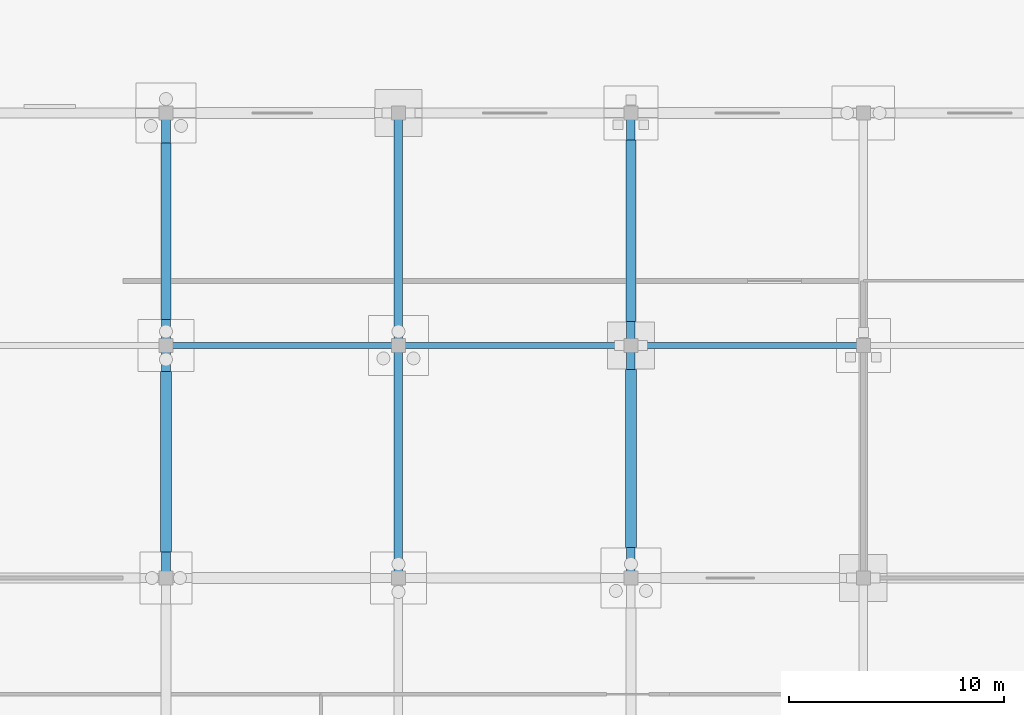
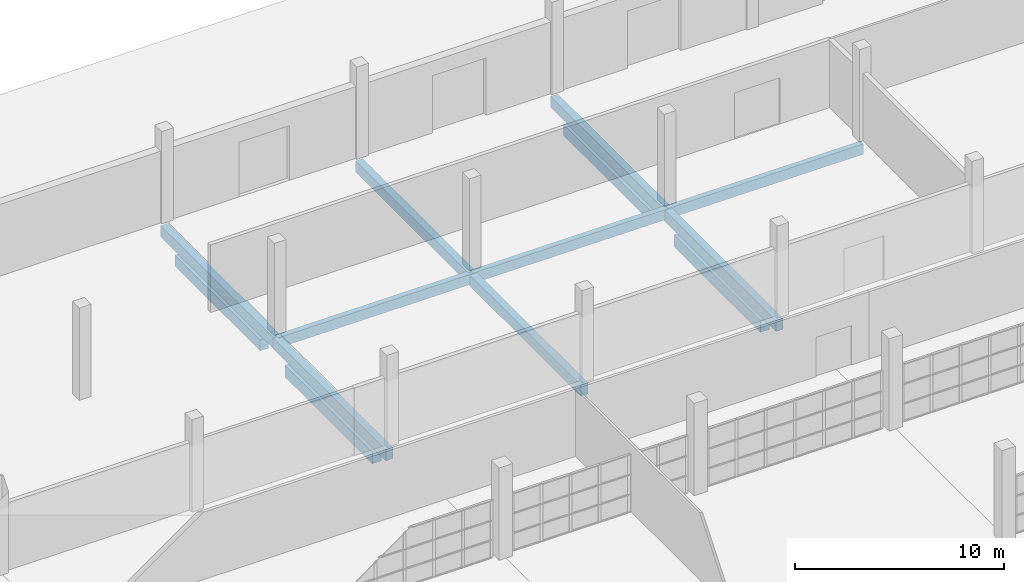
# One storey, part 76 of 138: 13 beams.
"""IFC4 building model written with IfcOpenShell, lengths in metres."""

import ifcopenshell
import ifcopenshell.guid

model = None  # the IFC model being written
_history = None  # IfcOwnerHistory: only IFC2X3 demands one
_inside = {}  # id of a spatial element -> (the spatial element, [elements in it])
_under = {}  # id of a project, library or spatial element -> (it, [spatial elements below it])
_declared = {}  # id of a project -> (the project, [libraries it declares])
_typed = {}  # id of a type object -> (the type object, [elements of that type])
_made_of = {}  # id of a material, layer set ... -> (it, [elements and type objects made of it])


def new_model(schema):
    """Start an empty IFC model of exactly this schema.

    Asked for "IFC4X3", IfcOpenShell would pick the latest addendum, in which some entities
    have other attributes; the version numbers below select the first issue.
    IFC2X3 requires an IfcOwnerHistory on every rooted entity: one is made here for all.
    """
    global model, _history
    if schema == "IFC4X3":
        model = ifcopenshell.file(schema_version=(4, 3, 0, 0))
    else:
        model = ifcopenshell.file(schema=schema)
    _inside.clear()
    _under.clear()
    _declared.clear()
    _typed.clear()
    _made_of.clear()
    _history = None
    if model.schema == "IFC2X3":
        org = make("IfcOrganization", Name="unknown")
        user = make(
            "IfcPersonAndOrganization",
            ThePerson=make("IfcPerson", FamilyName="unknown"),
            TheOrganization=org,
        )
        app = make(
            "IfcApplication",
            ApplicationDeveloper=org,
            Version="unknown",
            ApplicationFullName="unknown",
            ApplicationIdentifier="unknown",
        )
        _history = make(
            "IfcOwnerHistory",
            OwningUser=user,
            OwningApplication=app,
            ChangeAction="ADDED",
            CreationDate=0,
        )
    return model


def make(cls, **values):
    """One entity of the class cls with the attributes given. An attribute that is None is left unset."""
    return model.create_entity(
        cls, **{name: value for name, value in values.items() if value is not None}
    )


def rooted(cls, **values):
    """An entity with a GlobalId (a new one), such as an element, a storey or a relation."""
    return make(cls, GlobalId=ifcopenshell.guid.new(), OwnerHistory=_history, **values)


def si_unit(unit_type, name, prefix=None):
    """IfcSIUnit, for example si_unit("LENGTHUNIT", "METRE", prefix="MILLI")."""
    return make("IfcSIUnit", UnitType=unit_type, Prefix=prefix, Name=name)


def assignment(units):
    """IfcUnitAssignment: the units of a project."""
    return None if units is None else make("IfcUnitAssignment", Units=units)


def point(xyz):
    """IfcCartesianPoint."""
    return None if xyz is None else make("IfcCartesianPoint", Coordinates=xyz)


def direction(xyz):
    """IfcDirection."""
    return None if xyz is None else make("IfcDirection", DirectionRatios=xyz)


def frame(location, z_axis=None, x_axis=None):
    """IfcAxis2Placement3D, a coordinate frame: its origin and axes. An axis left out is left unset."""
    return make(
        "IfcAxis2Placement3D",
        Location=point(location),
        Axis=direction(z_axis),
        RefDirection=direction(x_axis),
    )


def frame_2d(location, x_axis=None):
    """IfcAxis2Placement2D, a coordinate frame in the plane: its origin and x axis."""
    return make(
        "IfcAxis2Placement2D", Location=point(location), RefDirection=direction(x_axis)
    )


def origin():
    """The frame at (0, 0, 0) with its axes left unset."""
    return frame((0.0, 0.0, 0.0))


def origin_2d():
    """The frame at (0, 0) in the plane with its x axis left unset."""
    return frame_2d((0.0, 0.0))


def place(relative_to, where):
    """IfcLocalPlacement: puts the frame where relative to a parent placement (None: the world)."""
    return make(
        "IfcLocalPlacement", PlacementRelTo=relative_to, RelativePlacement=where
    )


def context(
    kind, dimensions, precision=None, world=None, true_north=None, identifier=None
):
    """IfcGeometricRepresentationContext, for example the 3D "Model" context."""
    return make(
        "IfcGeometricRepresentationContext",
        ContextIdentifier=identifier,
        ContextType=kind,
        CoordinateSpaceDimension=dimensions,
        Precision=precision,
        WorldCoordinateSystem=world,
        TrueNorth=true_north,
    )


def subcontext(parent, identifier, kind, view, scale=None):
    """IfcGeometricRepresentationSubContext, for example "Body" below "Model"."""
    return make(
        "IfcGeometricRepresentationSubContext",
        ContextIdentifier=identifier,
        ContextType=kind,
        ParentContext=parent,
        TargetScale=scale,
        TargetView=view,
    )


def project(units=None, contexts=None):
    """IfcProject with its units and contexts."""
    return rooted(
        "IfcProject",
        Name="project",
        RepresentationContexts=contexts,
        UnitsInContext=assignment(units),
    )


def spatial(cls, under=None, at=None, **own):
    """A site, building, storey or space (cls), placed at a placement, below another one or the project."""
    s = rooted(cls, ObjectPlacement=at, **own)
    if under is not None:
        _under.setdefault(under.id(), (under, []))[1].append(s)
    return s


def profile(cls, at=None, kind="AREA", **sizes):
    """A parametric profile (cls). Its sizes go by their IFC names, for example OverallWidth=200.0."""
    return make(cls, ProfileType=kind, Position=at, **sizes)


def rectangle(**sizes):
    """IfcRectangleProfileDef."""
    return profile("IfcRectangleProfileDef", **sizes)


def extrude(swept, where, along, depth):
    """IfcExtrudedAreaSolid: the profile swept, set in the frame where, extruded along a direction by depth."""
    return make(
        "IfcExtrudedAreaSolid",
        SweptArea=swept,
        Position=where,
        ExtrudedDirection=direction(along),
        Depth=depth,
    )


def shape(context_of_items, identifier, shape_type, items):
    """IfcShapeRepresentation: the items that make up one representation, for example the "Body"."""
    return make(
        "IfcShapeRepresentation",
        ContextOfItems=context_of_items,
        RepresentationIdentifier=identifier,
        RepresentationType=shape_type,
        Items=items,
    )


def material(Name=None, Category=None):
    """IfcMaterial."""
    return make("IfcMaterial", Name=Name, Category=Category)


def material_profile(
    of_material, cross_section, Name=None, Category=None, Priority=None
):
    """IfcMaterialProfile: a cross section and its material."""
    return make(
        "IfcMaterialProfile",
        Name=Name,
        Material=of_material,
        Profile=cross_section,
        Priority=Priority,
        Category=Category,
    )


def profile_set(profiles, Name=None, composite=None):
    """IfcMaterialProfileSet."""
    return make(
        "IfcMaterialProfileSet",
        Name=Name,
        MaterialProfiles=profiles,
        CompositeProfile=composite,
    )


def made_of(thing, what):
    """Note that an element or type object is made of a material, layer set ...; save() writes the relation."""
    if what is not None:
        _made_of.setdefault(what.id(), (what, []))[1].append(thing)
    return thing


def type_object(cls, material=None, **own):
    """A type object (cls), such as IfcWallType, which elements share."""
    return made_of(rooted(cls, **own), material)


def element(
    cls,
    number,
    at=None,
    inside=None,
    cuts=None,
    type_object=None,
    material=None,
    context=None,
    identifier="Body",
    shape_type=None,
    held_by="IfcProductDefinitionShape",
    body=None,
    shapes=None,
    **own,
):
    """One element of the class cls, such as IfcWall. Its Tag is "e" and its number.

    at: its placement. inside: the storey or other place that contains it. cuts: it is an
    opening in that element (IfcRelVoidsElement). A single representation is given by context,
    identifier, shape_type and body (its items); several are given by shapes. held_by: the class
    of the entity that holds the representations. save() writes the other relations.
    """
    e = rooted(cls, Tag="e%d" % number, ObjectPlacement=at, **own)
    if body is not None:
        shapes = [shape(context, identifier, shape_type, body)]
    if shapes is not None:
        e.Representation = make(held_by, Representations=shapes)
    if inside is not None:
        _inside.setdefault(inside.id(), (inside, []))[1].append(e)
    if cuts is not None:
        rooted(
            "IfcRelVoidsElement", RelatingBuildingElement=cuts, RelatedOpeningElement=e
        )
    if type_object is not None:
        _typed.setdefault(type_object.id(), (type_object, []))[1].append(e)
    return made_of(e, material)


def aggregate(whole, parts):
    """IfcRelAggregates: a whole, such as a stair, and the parts it consists of."""
    return rooted("IfcRelAggregates", RelatingObject=whole, RelatedObjects=parts)


def save(model, path):
    """Write the relations noted so far, then the file.

    IfcRelAggregates (storeys below a building ...), IfcRelContainedInSpatialStructure (elements
    in a storey), IfcRelDefinesByType, IfcRelAssociatesMaterial and IfcRelDeclares: one each for
    every whole, place, type object, material and project.
    """
    for whole, parts in _under.values():
        aggregate(whole, parts)
    for where, things in _inside.values():
        rooted(
            "IfcRelContainedInSpatialStructure",
            RelatedElements=things,
            RelatingStructure=where,
        )
    for kind, things in _typed.values():
        rooted("IfcRelDefinesByType", RelatedObjects=things, RelatingType=kind)
    for what, things in _made_of.values():
        rooted("IfcRelAssociatesMaterial", RelatedObjects=things, RelatingMaterial=what)
    for by, libraries in _declared.values():
        rooted("IfcRelDeclares", RelatingContext=by, RelatedDefinitions=libraries)
    model.write(path)


model = new_model("IFC4")

# Units and contexts
model_context = context("Model", 3, precision=1e-05, world=origin(), true_north=direction((0.0, 1.0)))
body_context = subcontext(model_context, "Body", "Model", "MODEL_VIEW")
ifc_project = project(units=[si_unit("LENGTHUNIT", "METRE"), si_unit("AREAUNIT", "SQUARE_METRE"), si_unit("VOLUMEUNIT", "CUBIC_METRE"), si_unit("PLANEANGLEUNIT", "RADIAN"), si_unit("MASSUNIT", "GRAM", prefix="KILO")], contexts=[model_context])

# Site, building, storey
site_placement = place(None, origin())
site = spatial("IfcSite", under=ifc_project, at=site_placement, CompositionType="ELEMENT")
building_placement = place(site_placement, origin())
building = spatial("IfcBuilding", under=site, at=building_placement, Name="Zwinboog Wholesale Market", CompositionType="ELEMENT")
storey_placement = place(building_placement, origin())
storey = spatial("IfcBuildingStorey", under=building, at=storey_placement, Name="L00", CompositionType="ELEMENT", Elevation=0.0)

# Beams
ifc_material_1 = material(Name="Precast concrete C45/55", Category="concrete")
ifc_material_profile_1 = material_profile(ifc_material_1, rectangle(XDim=0.39990234375, YDim=0.64990234375, at=origin_2d()), Name="PC 400x650")
ifc_profile_set_1 = profile_set([ifc_material_profile_1], Name="Precast concrete C45/55")
beam_type_1 = type_object("IfcBeamType", Name="BT-05", PredefinedType="BEAM", material=ifc_profile_set_1)
for number, where, z_axis, x_axis, name in (
    (1, (129.60009765625, 108.0, -0.68994140625), (0.0, 1.0, 0.0), (-1.0, 0.0, 0.0), "BG-05 (BMG-L00-1296-1080-0339)"),
    (2, (129.60009765625, 118.800048828125, -0.6669921875), (0.0, 1.0, 0.0), (-1.0, 0.0, 0.0), "BG-05 (BMG-L00-1296-1188-0340)"),
    (3, (140.39990234375, 108.0, -0.68994140625), (0.0, 1.0, 0.0), (-1.0, 0.0, 0.0), "BG-05 (BMG-L00-1404-1080-0351)"),
    (4, (140.39990234375, 118.800048828125, -0.659912109375), (0.0, 1.0, 0.0), (-1.0, 0.0, 0.0), "BG-05 (BMG-L00-1404-1188-0352)"),
    (5, (151.199951171875, 108.0, -0.68994140625), (0.0, 1.0, 0.0), (-1.0, 0.0, 0.0), "BG-05 (BMG-L00-1512-1080-0363)"),
    (6, (151.199951171875, 118.800048828125, -0.659912109375), (0.0, 1.0, 0.0), (-1.0, 0.0, 0.0), "BG-05 (BMG-L00-1512-1188-0364)"),
):
    element("IfcBeam", number, at=place(storey_placement, frame(where, z_axis=z_axis, x_axis=x_axis)), inside=storey, type_object=beam_type_1, Name=name, PredefinedType="BEAM", context=body_context, shape_type="SweptSolid", body=[
        extrude(rectangle(XDim=0.39990234375, YDim=0.64990234375, at=origin_2d()), origin(), (0.0, 0.0, 1.0), 10.800048828125),
    ])
ifc_material_profile_2 = material_profile(ifc_material_1, rectangle(XDim=0.300048828125, YDim=0.60009765625, at=origin_2d()), Name="PC 300x600")
ifc_profile_set_2 = profile_set([ifc_material_profile_2], Name="Precast concrete C45/55")
beam_type_2 = type_object("IfcBeamType", Name="BT-09", PredefinedType="SPANDREL", material=ifc_profile_set_2)
beam_1_placement = place(storey_placement, frame((129.60009765625, 118.800048828125, -0.64208984375), z_axis=(1.0, 0.0, 0.0), x_axis=(0.0, 1.0, 0.0)))
element("IfcBeam", 7, at=beam_1_placement, inside=storey, type_object=beam_type_2, Name="SP-02 (BMG-L00-1296-1188-0183)", PredefinedType="SPANDREL", context=body_context, shape_type="SweptSolid", body=[
    extrude(rectangle(XDim=0.300048828125, YDim=0.60009765625, at=origin_2d()), origin(), (0.0, 0.0, 1.0), 10.7998046875),
])
for number, where, z_axis, x_axis, name in (
    (8, (140.39990234375, 118.800048828125, -0.635009765625), (1.0, 0.0, 0.0), (0.0, 1.0, 0.0), "SP-02 (BMG-L00-1404-1188-0184)"),
    (9, (151.199951171875, 118.800048828125, -0.635009765625), (1.0, 0.0, 0.0), (0.0, 1.0, 0.0), "SP-02 (BMG-L00-1512-1188-0185)"),
):
    element("IfcBeam", number, at=place(storey_placement, frame(where, z_axis=z_axis, x_axis=x_axis)), inside=storey, type_object=beam_type_2, Name=name, PredefinedType="SPANDREL", context=body_context, shape_type="SweptSolid", body=[
        extrude(rectangle(XDim=0.300048828125, YDim=0.60009765625, at=origin_2d()), origin(), (0.0, 0.0, 1.0), 10.800048828125),
    ])
ifc_material_2 = material(Name="Concrete C35/45", Category="concrete")
ifc_material_profile_3 = material_profile(ifc_material_2, rectangle(XDim=0.5, YDim=0.699951171875, at=origin_2d()), Name="RC 500x700")
ifc_profile_set_3 = profile_set([ifc_material_profile_3], Name="Concrete C35/45")
beam_type_3 = type_object("IfcBeamType", Name="BT-12", PredefinedType="USERDEFINED", material=ifc_profile_set_3)
beam_2_placement = place(storey_placement, frame((129.60009765625, 109.205078125, -1.550048828125), z_axis=(0.0, 1.0, 0.0), x_axis=(-1.0, 0.0, 0.0)))
element("IfcBeam", 10, at=beam_2_placement, inside=storey, type_object=beam_type_3, Name="GB-01 (BM-GB-0182)", ObjectType="GROUND_BEAM", PredefinedType="USERDEFINED", context=body_context, shape_type="SweptSolid", body=[
    extrude(rectangle(XDim=0.5, YDim=0.699951171875, at=origin_2d()), origin(), (0.0, 0.0, 1.0), 8.389892578125),
])
beam_3_placement = place(storey_placement, frame((151.199951171875, 109.405029296875, -1.550048828125), z_axis=(0.0, 1.0, 0.0), x_axis=(-1.0, 0.0, 0.0)))
element("IfcBeam", 11, at=beam_3_placement, inside=storey, type_object=beam_type_3, Name="GB-01 (BM-GB-0194)", ObjectType="GROUND_BEAM", PredefinedType="USERDEFINED", context=body_context, shape_type="SweptSolid", body=[
    extrude(rectangle(XDim=0.5, YDim=0.699951171875, at=origin_2d()), origin(), (0.0, 0.0, 1.0), 8.2900390625),
])
ifc_material_profile_4 = material_profile(ifc_material_2, rectangle(XDim=0.449951171875, YDim=0.64990234375, at=origin_2d()), Name="RC 450x650")
ifc_profile_set_4 = profile_set([ifc_material_profile_4], Name="Concrete C35/45")
beam_type_4 = type_object("IfcBeamType", Name="BT-13", PredefinedType="USERDEFINED", material=ifc_profile_set_4)
beam_4_placement = place(storey_placement, frame((129.60009765625, 120.0048828125, -1.52490234375), z_axis=(0.0, 1.0, 0.0), x_axis=(-1.0, 0.0, 0.0)))
element("IfcBeam", 12, at=beam_4_placement, inside=storey, type_object=beam_type_4, Name="GB-02 (BM-GB-0183)", ObjectType="GROUND_BEAM", PredefinedType="USERDEFINED", context=body_context, shape_type="SweptSolid", body=[
    extrude(rectangle(XDim=0.449951171875, YDim=0.64990234375, at=origin_2d()), origin(), (0.0, 0.0, 1.0), 8.190185546875),
])
beam_5_placement = place(storey_placement, frame((151.199951171875, 119.905029296875, -1.52490234375), z_axis=(0.0, 1.0, 0.0), x_axis=(-1.0, 0.0, 0.0)))
element("IfcBeam", 13, at=beam_5_placement, inside=storey, type_object=beam_type_4, Name="GB-02 (BM-GB-0195)", ObjectType="GROUND_BEAM", PredefinedType="USERDEFINED", context=body_context, shape_type="SweptSolid", body=[
    extrude(rectangle(XDim=0.449951171875, YDim=0.64990234375, at=origin_2d()), origin(), (0.0, 0.0, 1.0), 8.43994140625),
])

save(model, "model.ifc")
